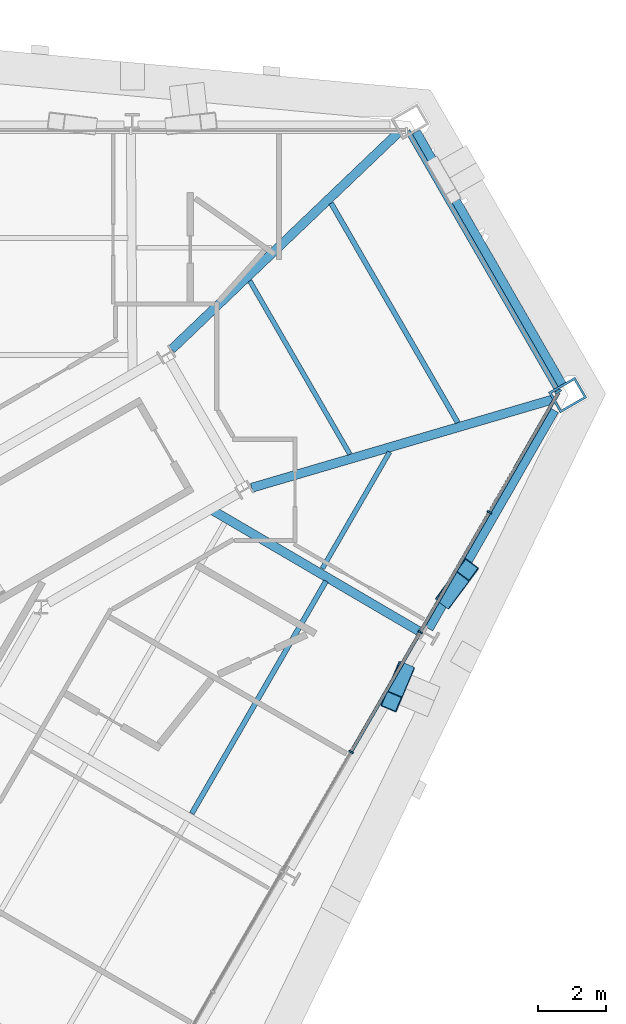
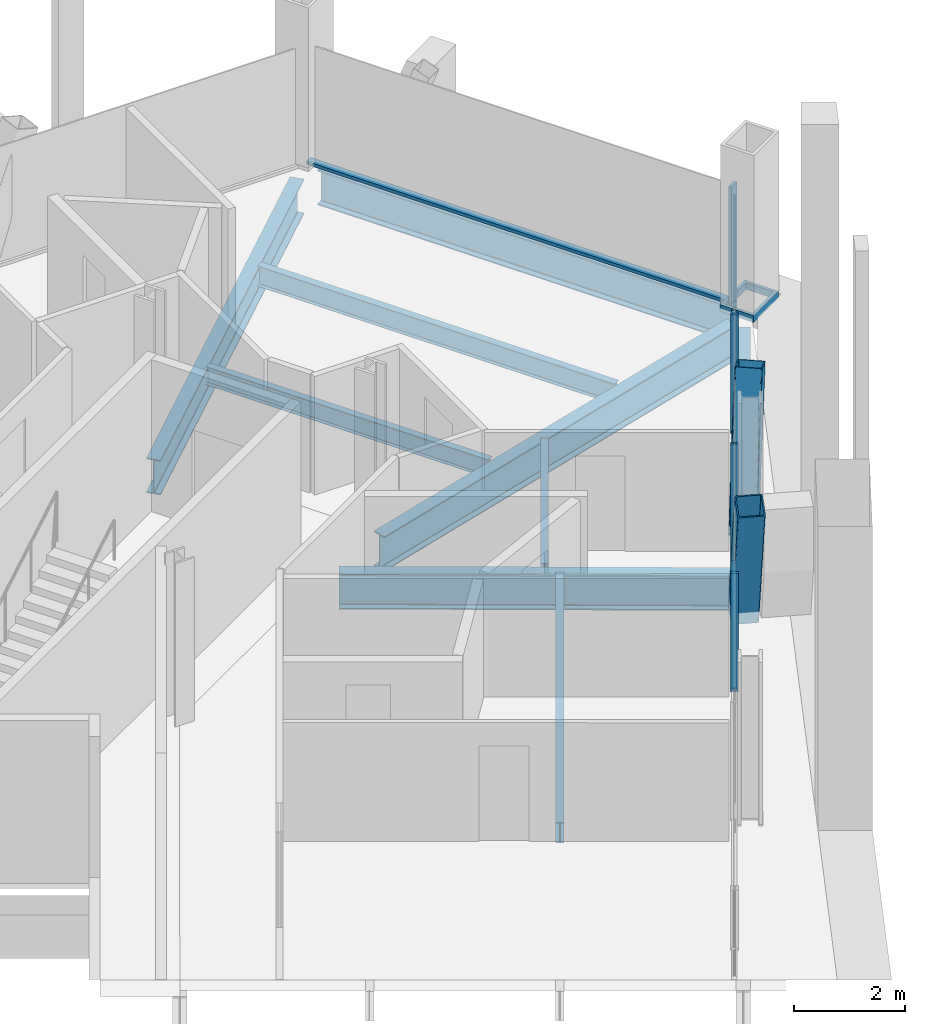
# One storey, part 10 of 19: 11 members, 9 beams, 2 elements without a shape of their own.
"""IFC4 building model written with IfcOpenShell, lengths in metres."""

from ifc_helpers import new_model, si_unit, direction, frame, origin, origin_2d, place, context, subcontext, project, spatial, rectangle, hollow_rectangle, i_section, extrude, material, material_profile, profile_set, type_object, element, aggregate, save


model = new_model("IFC4")

# Units and contexts
model_context = context("Model", 3, precision=1e-05, world=origin(), true_north=direction((0.0, 1.0)))
body_context = subcontext(model_context, "Body", "Model", "MODEL_VIEW")
ifc_project = project(units=[si_unit("LENGTHUNIT", "METRE"), si_unit("AREAUNIT", "SQUARE_METRE"), si_unit("VOLUMEUNIT", "CUBIC_METRE"), si_unit("PLANEANGLEUNIT", "RADIAN"), si_unit("MASSUNIT", "GRAM", prefix="KILO")], contexts=[model_context])

# Site, building, storey
site_placement = place(None, origin())
site = spatial("IfcSite", under=ifc_project, at=site_placement, CompositionType="ELEMENT")
building_placement = place(site_placement, origin())
building = spatial("IfcBuilding", under=site, at=building_placement, Name="Verrane Prism Tower", CompositionType="ELEMENT")
storey_placement = place(building_placement, frame((0.0, 0.0, 121.60009765625)))
storey = spatial("IfcBuildingStorey", under=building, at=storey_placement, Name="L29", CompositionType="ELEMENT", Elevation=121.60009765625)

# Beams
ifc_material_1 = material(Name="Steel A992", Category="steel")
ifc_material_profile_1 = material_profile(ifc_material_1, i_section(OverallWidth=0.2666015625, OverallDepth=0.76708984375, WebThickness=0.014892578125, FlangeThickness=0.023681640625, FilletRadius=0.0166015625, at=origin_2d()), Name="W30x124")
ifc_profile_set_1 = profile_set([ifc_material_profile_1], Name="Steel A992")
beam_type_1 = type_object("IfcBeamType", Name="Chamfer spandrel beam W30x124", PredefinedType="SPANDREL", material=ifc_profile_set_1)
beam_1_placement = place(storey_placement, frame((28.93505859375, 11.753173828125, -0.543701171875), z_axis=(-0.499834903175, 0.866120701501, 0.0), x_axis=(-0.866120701501, -0.499834903175, 0.0)))
element("IfcBeam", 1, at=beam_1_placement, inside=storey, type_object=beam_type_1, Name="Chamfer spandrel beam L29", PredefinedType="SPANDREL", context=body_context, shape_type="SweptSolid", body=[
    extrude(i_section(OverallWidth=0.2666015625, OverallDepth=0.76708984375, WebThickness=0.014892578125, FlangeThickness=0.023681640625, FilletRadius=0.0166015625, at=origin_2d()), origin(), (0.0, 0.0, 1.0), 8.5830078125),
])
ifc_material_2 = material(Name="Steel A992", Category="steel")
ifc_material_profile_2 = material_profile(ifc_material_2, i_section(OverallWidth=0.2666015625, OverallDepth=0.76708984375, WebThickness=0.014892578125, FlangeThickness=0.023681640625, FilletRadius=0.0166015625, at=origin_2d()), Name="W30x124")
ifc_profile_set_2 = profile_set([ifc_material_profile_2], Name="Steel A992")
beam_type_2 = type_object("IfcBeamType", Name="Corner girder W30x124", PredefinedType="BEAM", material=ifc_profile_set_2)
beam_2_placement = place(storey_placement, frame((28.66552734375, 11.319580078125, -0.603515625), z_axis=(-0.959558305514, -0.281509961313, 0.0), x_axis=(0.281509961313, -0.959558305514, 0.0)))
element("IfcBeam", 2, at=beam_2_placement, inside=storey, type_object=beam_type_2, Name="Corner girder L29", PredefinedType="BEAM", context=body_context, shape_type="SweptSolid", body=[
    extrude(i_section(OverallWidth=0.2666015625, OverallDepth=0.76708984375, WebThickness=0.014892578125, FlangeThickness=0.023681640625, FilletRadius=0.0166015625, at=origin_2d()), origin(), (0.0, 0.0, 1.0), 9.22412109375),
])
beam_3_placement = place(storey_placement, frame((24.135009765625, 19.170166015625, -0.603515625), z_axis=(-0.723045594002, -0.690800310506, 0.0), x_axis=(0.690800310506, -0.723045594002, 0.0)))
element("IfcBeam", 3, at=beam_3_placement, inside=storey, type_object=beam_type_2, Name="Corner girder L29", PredefinedType="BEAM", context=body_context, shape_type="SweptSolid", body=[
    extrude(i_section(OverallWidth=0.2666015625, OverallDepth=0.76708984375, WebThickness=0.014892578125, FlangeThickness=0.023681640625, FilletRadius=0.0166015625, at=origin_2d()), origin(), (0.0, 0.0, 1.0), 9.2294921875),
])

# Members
ifc_material_3 = material(Name="Steel A1085 Grade A", Category="steel")
ifc_material_profile_3 = material_profile(ifc_material_3, hollow_rectangle(XDim=0.508056640625, YDim=0.508056640625, WallThickness=0.025390625, InnerFilletRadius=0.0126953125, OuterFilletRadius=0.0380859375, at=origin_2d()), Name="HSS20x20x1")
ifc_profile_set_3 = profile_set([ifc_material_profile_3], Name="Steel A1085 Grade A")
member_type_1 = type_object("IfcMemberType", Name="Facade brace HSS20x20x1", PredefinedType="BRACE", material=ifc_profile_set_3)
member_1_placement = place(storey_placement, frame((24.287109375, 3.314453125, -0.24267578125), z_axis=(-0.11629514021, -0.276413881858, 0.95397631327), x_axis=(0.921742261649, -0.387803046778, 0.0)))
element("IfcMember", 4, at=member_1_placement, inside=storey, type_object=member_type_1, Name="Facade brace SE4 L29", PredefinedType="BRACE", context=body_context, shape_type="SweptSolid", body=[
    extrude(hollow_rectangle(XDim=0.508056640625, YDim=0.508056640625, WallThickness=0.025390625, InnerFilletRadius=0.0126953125, OuterFilletRadius=0.0380859375, at=origin_2d()), origin(), (0.0, 0.0, 1.0), 3.153076171875),
])
member_2_placement = place(storey_placement, frame((25.54443359375, 5.493896484375, -0.24267578125), z_axis=(0.191600235663, 0.258080060712, 0.946934016686), x_axis=(-0.802917137422, 0.596090656222, 0.0)))
element("IfcMember", 5, at=member_2_placement, inside=storey, type_object=member_type_1, Name="Facade brace SE5 L29", PredefinedType="BRACE", context=body_context, shape_type="SweptSolid", body=[
    extrude(hollow_rectangle(XDim=0.508056640625, YDim=0.508056640625, WallThickness=0.025390625, InnerFilletRadius=0.0126953125, OuterFilletRadius=0.0380859375, at=origin_2d()), origin(), (0.0, 0.0, 1.0), 3.176513671875),
])

# Beams
ifc_material_4 = material(Name="Steel A992", Category="steel")
ifc_material_profile_4 = material_profile(ifc_material_4, i_section(OverallWidth=0.140380859375, OverallDepth=0.40380859375, WebThickness=0.007080078125, FlangeThickness=0.01123046875, FilletRadius=0.01025390625, at=origin_2d()), Name="W16x31")
ifc_profile_set_4 = profile_set([ifc_material_profile_4], Name="Steel A992")
beam_type_3 = type_object("IfcBeamType", Name="Floor beam W16x31", PredefinedType="BEAM", material=ifc_profile_set_4)
beam_4_placement = place(storey_placement, frame((21.891845703125, 6.3505859375, -0.362060546875), z_axis=(0.499986281351, 0.866033324105, 0.0), x_axis=(-0.866033324105, 0.499986281351, 0.0)))
element("IfcBeam", 6, at=beam_4_placement, inside=storey, type_object=beam_type_3, Name="Floor beam L29", PredefinedType="BEAM", context=body_context, shape_type="SweptSolid", body=[
    extrude(i_section(OverallWidth=0.140380859375, OverallDepth=0.40380859375, WebThickness=0.007080078125, FlangeThickness=0.01123046875, FilletRadius=0.01025390625, at=origin_2d()), origin(), (0.0, 0.0, 1.0), 3.95166015625),
])
beam_5_placement = place(storey_placement, frame((22.70068359375, 9.708740234375, -0.362060546875), z_axis=(-0.500003813253, 0.866023202191, 0.0), x_axis=(-0.866023202191, -0.500003813253, 0.0)))
element("IfcBeam", 7, at=beam_5_placement, inside=storey, type_object=beam_type_3, Name="Floor beam L29", PredefinedType="BEAM", context=body_context, shape_type="SweptSolid", body=[
    extrude(i_section(OverallWidth=0.140380859375, OverallDepth=0.40380859375, WebThickness=0.007080078125, FlangeThickness=0.01123046875, FilletRadius=0.01025390625, at=origin_2d()), origin(), (0.0, 0.0, 1.0), 5.8837890625),
])
ifc_material_5 = material(Name="Steel A992", Category="steel")
ifc_material_profile_5 = material_profile(ifc_material_5, i_section(OverallWidth=0.15234375, OverallDepth=0.449462890625, WebThickness=0.007568359375, FlangeThickness=0.0107421875, FilletRadius=0.01025390625, at=origin_2d()), Name="W18x35")
ifc_profile_set_5 = profile_set([ifc_material_profile_5], Name="Steel A992")
beam_type_4 = type_object("IfcBeamType", Name="Floor beam W18x35", PredefinedType="BEAM", material=ifc_profile_set_5)
beam_6_placement = place(storey_placement, frame((18.055419921875, -0.848876953125, -0.385009765625), z_axis=(0.500004726595, 0.866022674866, 0.0), x_axis=(-0.866022674866, 0.500004726595, 0.0)))
element("IfcBeam", 8, at=beam_6_placement, inside=storey, type_object=beam_type_4, Name="Floor beam L29", PredefinedType="BEAM", context=body_context, shape_type="SweptSolid", body=[
    extrude(i_section(OverallWidth=0.15234375, OverallDepth=0.449462890625, WebThickness=0.007568359375, FlangeThickness=0.0107421875, FilletRadius=0.01025390625, at=origin_2d()), origin(), (0.0, 0.0, 1.0), 7.88623046875),
])
beam_7_placement = place(storey_placement, frame((25.871826171875, 10.63916015625, -0.385009765625), z_axis=(-0.500011000363, 0.866019052629, 0.0), x_axis=(-0.866019052629, -0.500011000363, 0.0)))
element("IfcBeam", 9, at=beam_7_placement, inside=storey, type_object=beam_type_4, Name="Floor beam L29", PredefinedType="BEAM", context=body_context, shape_type="SweptSolid", body=[
    extrude(i_section(OverallWidth=0.15234375, OverallDepth=0.449462890625, WebThickness=0.007568359375, FlangeThickness=0.0107421875, FilletRadius=0.01025390625, at=origin_2d()), origin(), (0.0, 0.0, 1.0), 7.446044921875),
])

# Member
ifc_material_6 = material(Name="Steel A572 Grade 50", Category="steel")
ifc_material_profile_6 = material_profile(ifc_material_6, hollow_rectangle(XDim=0.699951171875, YDim=0.89990234375, WallThickness=0.06494140625, at=origin_2d()), Name="BOX 900x700x65")
ifc_profile_set_6 = profile_set([ifc_material_profile_6], Name="Steel A572 Grade 50")
member_type_2 = type_object("IfcMemberType", Name="Kink node BOX 900x700x65", PredefinedType="COLLAR", material=ifc_profile_set_6)
member_3_placement = place(storey_placement, frame((29.1015625, 11.449951171875, -0.0751953125), z_axis=(0.0, 0.0, 1.0), x_axis=(0.5, -0.866025403784, 0.0)))
element("IfcMember", 10, at=member_3_placement, inside=storey, type_object=member_type_2, Name="Kink node MC3 L29", PredefinedType="COLLAR", context=body_context, shape_type="SweptSolid", body=[
    extrude(hollow_rectangle(XDim=0.699951171875, YDim=0.89990234375, WallThickness=0.06494140625, at=origin_2d()), origin(), (0.0, 0.0, 1.0), 0.150146484375),
])

# Curtain wall, members
ifc_material_7 = material(Name="Aluminium framed insulated glazing", Category="aluminium")
curtain_wall_type_1 = type_object("IfcCurtainWallType", Name="Curtain wall CW-C 4200 module", PredefinedType="NOTDEFINED", material=ifc_material_7)
curtain_wall_1_placement = place(storey_placement, origin())
curtain_wall_1 = element("IfcCurtainWall", 11, at=curtain_wall_1_placement, inside=storey, type_object=curtain_wall_type_1, Name="Glazed curtain wall south-east face L29", PredefinedType="NOTDEFINED")
ifc_material_8 = material(Name="Aluminium alloy 6063-T6", Category="aluminium")
ifc_material_profile_7 = material_profile(ifc_material_8, rectangle(XDim=0.139892578125, YDim=0.050048828125, at=origin_2d()), Name="Mullion 50x140 aluminium")
ifc_profile_set_7 = profile_set([ifc_material_profile_7], Name="Aluminium alloy 6063-T6")
member_type_3 = type_object("IfcMemberType", Name="Mullion 50x140 aluminium", PredefinedType="MULLION", material=ifc_profile_set_7)
member_4_placement = place(storey_placement, frame((22.73681640625, 0.95947265625, 0.0), z_axis=(0.0, 0.0, 1.0), x_axis=(-0.866025327793, 0.500000131621, 0.0)))
member_4 = element("IfcMember", 12, at=member_4_placement, type_object=member_type_3, Name="CW29.6 mullion 10", PredefinedType="MULLION", context=body_context, shape_type="SweptSolid", body=[
    extrude(rectangle(XDim=0.139892578125, YDim=0.050048828125, at=origin_2d()), origin(), (0.0, 0.0, 1.0), 2.61279296875),
])
member_5_placement = place(storey_placement, frame((24.77001953125, 4.48095703125, 0.0), z_axis=(0.0, 0.0, 1.0), x_axis=(-0.866025327793, 0.500000131621, 0.0)))
member_5 = element("IfcMember", 13, at=member_5_placement, type_object=member_type_3, Name="CW29.6 mullion 11", PredefinedType="MULLION", context=body_context, shape_type="SweptSolid", body=[
    extrude(rectangle(XDim=0.139892578125, YDim=0.050048828125, at=origin_2d()), origin(), (0.0, 0.0, 1.0), 2.61279296875),
])
member_6_placement = place(storey_placement, frame((26.80322265625, 8.002685546875, 0.0), z_axis=(0.0, 0.0, 1.0), x_axis=(-0.866025327793, 0.500000131621, 0.0)))
member_6 = element("IfcMember", 14, at=member_6_placement, type_object=member_type_3, Name="CW29.6 mullion 12", PredefinedType="MULLION", context=body_context, shape_type="SweptSolid", body=[
    extrude(rectangle(XDim=0.139892578125, YDim=0.050048828125, at=origin_2d()), origin(), (0.0, 0.0, 1.0), 2.61279296875),
])

# Curtain wall, member
ifc_material_9 = material(Name="Aluminium framed insulated glazing", Category="aluminium")
curtain_wall_type_2 = type_object("IfcCurtainWallType", Name="Curtain wall CW-A 8400 module", PredefinedType="NOTDEFINED", material=ifc_material_9)
curtain_wall_2_placement = place(storey_placement, origin())
curtain_wall_2 = element("IfcCurtainWall", 15, at=curtain_wall_2_placement, inside=storey, type_object=curtain_wall_type_2, Name="Glazed curtain wall north-east corner L29", PredefinedType="NOTDEFINED")
ifc_material_10 = material(Name="Aluminium alloy 6063-T6", Category="aluminium")
ifc_material_profile_8 = material_profile(ifc_material_10, rectangle(XDim=0.199951171875, YDim=0.070068359375, at=origin_2d()), Name="Mullion 70x200 aluminium")
ifc_profile_set_8 = profile_set([ifc_material_profile_8], Name="Aluminium alloy 6063-T6")
member_type_4 = type_object("IfcMemberType", Name="Mullion 70x200 aluminium", PredefinedType="MULLION", material=ifc_profile_set_8)
member_7_placement = place(storey_placement, frame((28.819091796875, 11.5546875, 0.0), z_axis=(0.0, 0.0, 1.0), x_axis=(-0.866026297252, -0.499998452466, 0.0)))
member_7 = element("IfcMember", 16, at=member_7_placement, type_object=member_type_4, Name="CW29.1 mullion 1", PredefinedType="MULLION", context=body_context, shape_type="SweptSolid", body=[
    extrude(rectangle(XDim=0.199951171875, YDim=0.070068359375, at=origin_2d()), origin(), (0.0, 0.0, 1.0), 2.61279296875),
])

# Beams
ifc_material_11 = material(Name="Steel A992", Category="steel")
ifc_material_profile_9 = material_profile(ifc_material_11, i_section(OverallWidth=0.2666015625, OverallDepth=0.76708984375, WebThickness=0.014892578125, FlangeThickness=0.023681640625, FilletRadius=0.0166015625, at=origin_2d()), Name="W30x124")
ifc_profile_set_9 = profile_set([ifc_material_profile_9], Name="Steel A992")
beam_type_5 = type_object("IfcBeamType", Name="Radial girder W30x124", PredefinedType="BEAM", material=ifc_profile_set_9)
beam_8_placement = place(storey_placement, frame((24.718505859375, 4.51513671875, -0.603515625), z_axis=(-0.862917965476, 0.505344026242, 0.0), x_axis=(-0.505344026242, -0.862917965476, 0.0)))
element("IfcBeam", 17, at=beam_8_placement, inside=storey, type_object=beam_type_5, Name="Radial girder L29", PredefinedType="BEAM", context=body_context, shape_type="SweptSolid", body=[
    extrude(i_section(OverallWidth=0.2666015625, OverallDepth=0.76708984375, WebThickness=0.014892578125, FlangeThickness=0.023681640625, FilletRadius=0.0166015625, at=origin_2d()), origin(), (0.0, 0.0, 1.0), 7.076171875),
])
ifc_material_12 = material(Name="Steel A992", Category="steel")
ifc_material_profile_10 = material_profile(ifc_material_12, i_section(OverallWidth=0.2666015625, OverallDepth=0.7568359375, WebThickness=0.013916015625, FlangeThickness=0.019287109375, FilletRadius=0.0166015625, at=origin_2d()), Name="W30x108")
ifc_profile_set_10 = profile_set([ifc_material_profile_10], Name="Steel A992")
beam_type_6 = type_object("IfcBeamType", Name="Spandrel beam W30x108", PredefinedType="SPANDREL", material=ifc_profile_set_10)
beam_9_placement = place(storey_placement, frame((25.019287109375, 4.581787109375, -0.53857421875), z_axis=(0.499015462662, 0.866593080993, 0.0), x_axis=(-0.866593080993, 0.499015462662, 0.0)))
element("IfcBeam", 18, at=beam_9_placement, inside=storey, type_object=beam_type_6, Name="Spandrel beam L29", PredefinedType="SPANDREL", context=body_context, shape_type="SweptSolid", body=[
    extrude(i_section(OverallWidth=0.2666015625, OverallDepth=0.7568359375, WebThickness=0.013916015625, FlangeThickness=0.019287109375, FilletRadius=0.0166015625, at=origin_2d()), origin(), (0.0, 0.0, 1.0), 7.40576171875),
])

# Member
ifc_material_13 = material(Name="Aluminium alloy 6063-T6", Category="aluminium")
ifc_material_profile_11 = material_profile(ifc_material_13, rectangle(XDim=0.10009765625, YDim=0.050048828125, at=origin_2d()), Name="Transom 50x100 aluminium")
ifc_profile_set_11 = profile_set([ifc_material_profile_11], Name="Aluminium alloy 6063-T6")
member_type_5 = type_object("IfcMemberType", Name="Transom 50x100 aluminium", PredefinedType="USERDEFINED", material=ifc_profile_set_11)
member_8_placement = place(storey_placement, frame((22.749267578125, 0.98095703125, 0.02490234375), z_axis=(0.499996050563, 0.866027683981, 0.0), x_axis=(-0.866027683981, 0.499996050563, 0.0)))
member_8 = element("IfcMember", 19, at=member_8_placement, type_object=member_type_5, Name="CW29.6 transom 10", ObjectType="TRANSOM", PredefinedType="USERDEFINED", context=body_context, shape_type="SweptSolid", body=[
    extrude(rectangle(XDim=0.10009765625, YDim=0.050048828125, at=origin_2d()), origin(), (0.0, 0.0, 1.0), 4.0166015625),
])

member_9_placement = place(storey_placement, frame((24.782470703125, 4.502685546875, 0.02490234375), z_axis=(0.500022371132, 0.86601248742, 0.0), x_axis=(-0.86601248742, 0.500022371132, 0.0)))
member_9 = element("IfcMember", 20, at=member_9_placement, type_object=member_type_5, Name="CW29.6 transom 11", ObjectType="TRANSOM", PredefinedType="USERDEFINED", context=body_context, shape_type="SweptSolid", body=[
    extrude(rectangle(XDim=0.10009765625, YDim=0.050048828125, at=origin_2d()), origin(), (0.0, 0.0, 1.0), 4.016357421875),
])

member_10_placement = place(storey_placement, frame((26.815673828125, 8.0244140625, 0.02490234375), z_axis=(0.50000482701, 0.866022616891, 0.0), x_axis=(-0.866022616891, 0.50000482701, 0.0)))
member_10 = element("IfcMember", 21, at=member_10_placement, type_object=member_type_5, Name="CW29.6 transom 12", ObjectType="TRANSOM", PredefinedType="USERDEFINED", context=body_context, shape_type="SweptSolid", body=[
    extrude(rectangle(XDim=0.10009765625, YDim=0.050048828125, at=origin_2d()), origin(), (0.0, 0.0, 1.0), 4.04150390625),
])

aggregate(curtain_wall_1, [member_4, member_5, member_6, member_8, member_9, member_10])

ifc_material_14 = material(Name="Aluminium alloy 6063-T6", Category="aluminium")
ifc_material_profile_12 = material_profile(ifc_material_14, rectangle(XDim=0.14990234375, YDim=0.070068359375, at=origin_2d()), Name="Transom 70x150 aluminium")
ifc_profile_set_12 = profile_set([ifc_material_profile_12], Name="Aluminium alloy 6063-T6")
member_type_6 = type_object("IfcMemberType", Name="Transom 70x150 aluminium", PredefinedType="USERDEFINED", material=ifc_profile_set_12)
member_11_placement = place(storey_placement, frame((28.801513671875, 11.5849609375, 0.034912109375), z_axis=(-0.499997650106, 0.866026760492, 0.0), x_axis=(-0.866026760492, -0.499997650106, 0.0)))
member_11 = element("IfcMember", 22, at=member_11_placement, type_object=member_type_6, Name="CW29.1 transom 1", ObjectType="TRANSOM", PredefinedType="USERDEFINED", context=body_context, shape_type="SweptSolid", body=[
    extrude(rectangle(XDim=0.14990234375, YDim=0.070068359375, at=origin_2d()), origin(), (0.0, 0.0, 1.0), 8.8056640625),
])

aggregate(curtain_wall_2, [member_7, member_11])

save(model, "model.ifc")
